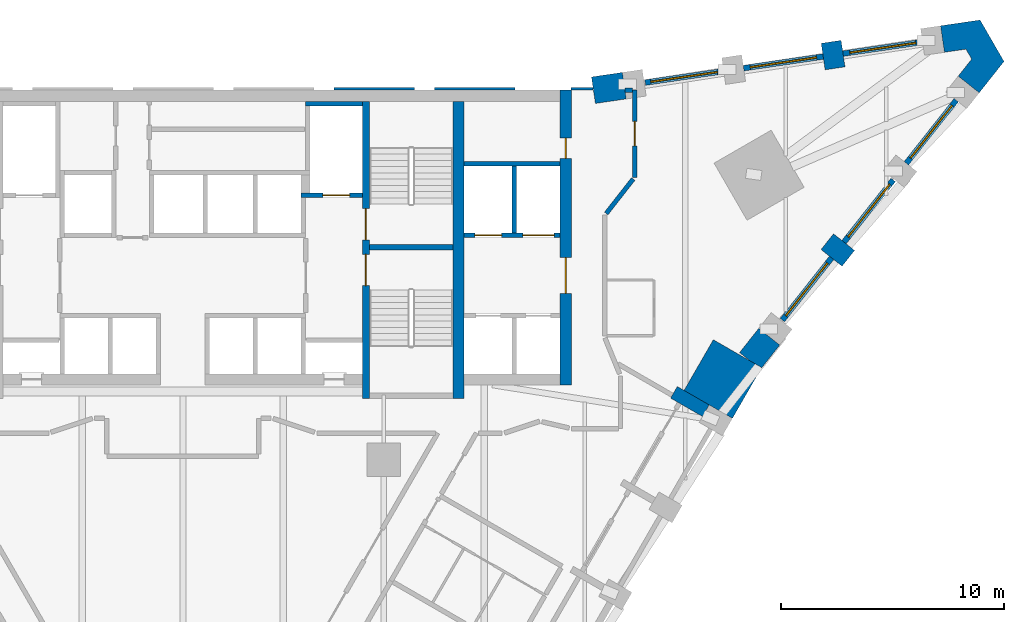
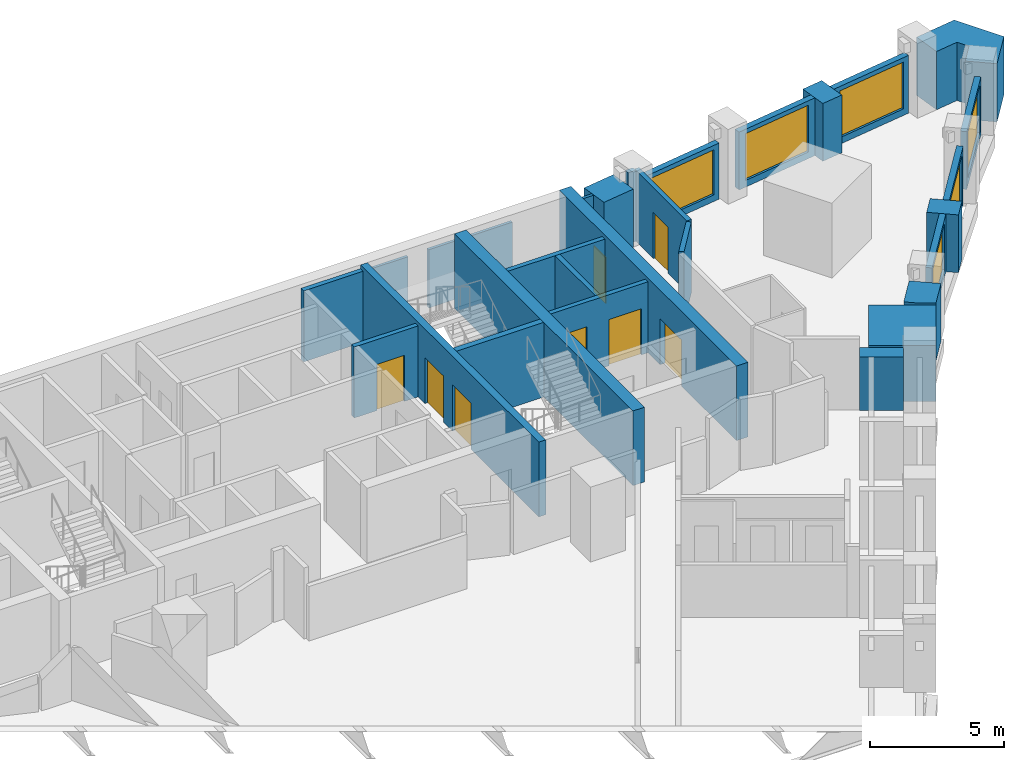
# One storey, part 8 of 10: 28 walls, 8 doors, 6 windows, 14 openings.
"""IFC4 building model written with IfcOpenShell, lengths in metres."""

from ifc_helpers import new_model, si_unit, direction, frame, frame_2d, origin, place, context, subcontext, project, spatial, polyline, rectangle, outline, extrude, material, layer, layer_set, type_object, element, fill, save


model = new_model("IFC4")

# Units and contexts
model_context = context("Model", 3, precision=1e-05, world=origin(), true_north=direction((0.0, 1.0)))
body_context = subcontext(model_context, "Body", "Model", "MODEL_VIEW")
ifc_project = project(units=[si_unit("LENGTHUNIT", "METRE"), si_unit("AREAUNIT", "SQUARE_METRE"), si_unit("VOLUMEUNIT", "CUBIC_METRE"), si_unit("PLANEANGLEUNIT", "RADIAN"), si_unit("MASSUNIT", "GRAM", prefix="KILO")], contexts=[model_context])

# Site, building, storey
site_placement = place(None, origin())
site = spatial("IfcSite", under=ifc_project, at=site_placement, CompositionType="ELEMENT")
building_placement = place(site_placement, origin())
building = spatial("IfcBuilding", under=site, at=building_placement, Name="Calabash Gate Tower", CompositionType="ELEMENT")
storey_placement = place(building_placement, frame((0.0, 0.0, 108.800048828125)))
storey = spatial("IfcBuildingStorey", under=building, at=storey_placement, Name="L24", CompositionType="ELEMENT", Elevation=108.800048828125)

# Walls
ifc_material_1 = material(Name="Terracotta brick masonry, exposed face", Category="masonry")
ifc_layer_1 = layer(ifc_material_1, 2.5)
ifc_layer_set_1 = layer_set([ifc_layer_1], Name="Brick corner mass wall 2500")
wall_type_1 = type_object("IfcWallType", Name="Brick corner mass wall 2500", PredefinedType="SOLIDWALL", material=ifc_layer_set_1)
wall_1_placement = place(storey_placement, origin())
element("IfcWall", 1, at=wall_1_placement, inside=storey, type_object=wall_type_1, Name="Brick corner pier S06 2", PredefinedType="SOLIDWALL", context=body_context, shape_type="SweptSolid", body=[
    extrude(outline(polyline([(23.7578125, 7.878173828125), (22.44677734375, 5.607177734375), (24.61181640625, 4.357177734375), (25.9228515625, 6.628173828125), (23.7578125, 7.878173828125)])), origin(), (0.0, 0.0, 1.0), 2.5517578125),
])
ifc_material_2 = material(Name="Terracotta brick masonry, exposed face", Category="masonry")
ifc_layer_2 = layer(ifc_material_2, 1.199951171875)
ifc_layer_set_2 = layer_set([ifc_layer_2], Name="Brick end wall 1200")
wall_type_2 = type_object("IfcWallType", Name="Brick end wall 1200", PredefinedType="SOLIDWALL", material=ifc_layer_set_2)
for number, where, z_axis, x_axis, name in (
    (2, (29.801513671875, 11.5224609375, 0.0), (0.0, 0.0, 1.0), (-0.784330409431, 0.620343299184, 0.0), "Brick pier S06 wedge3.1"),
    (3, (29.03369140625, 21.217041015625, 0.0), (0.0, 0.0, 1.0), (0.145066385332, -0.989421924078, 0.0), "Brick pier S06 wedge5.1"),
):
    element("IfcWall", number, at=place(storey_placement, frame(where, z_axis=z_axis, x_axis=x_axis)), inside=storey, type_object=wall_type_2, Name=name, PredefinedType="SOLIDWALL", context=body_context, shape_type="SweptSolid", body=[
        extrude(rectangle(XDim=1.199951171875, YDim=0.89990234375, at=frame_2d((0.60009765625, 0.0))), origin(), (0.0, 0.0, 1.0), 2.6298828125),
    ])
wall_2_placement = place(storey_placement, origin())
element("IfcWall", 4, at=wall_2_placement, inside=storey, type_object=wall_type_2, Name="Brick end wall S06 1", PredefinedType="SOLIDWALL", context=body_context, shape_type="SweptSolid", body=[
    extrude(outline(polyline([(25.789794921875, 8.38427734375), (24.9326171875, 7.30029296875), (25.4033203125, 6.92822265625), (25.9228515625, 6.628173828125), (25.901123046875, 6.59033203125), (26.731201171875, 7.639892578125), (25.789794921875, 8.38427734375)])), origin(), (0.0, 0.0, 1.0), 2.6298828125),
])
wall_3_placement = place(storey_placement, origin())
element("IfcWall", 5, at=wall_3_placement, inside=storey, type_object=wall_type_2, Name="Brick end wall S06 2", PredefinedType="SOLIDWALL", context=body_context, shape_type="SweptSolid", body=[
    extrude(outline(polyline([(35.32666015625, 20.443359375), (34.72216796875, 19.678955078125), (35.66357421875, 18.934814453125), (36.773193359375, 20.337890625), (35.701416015625, 22.1943359375), (33.931396484375, 21.934814453125), (34.105224609375, 20.74755859375), (35.069580078125, 20.888916015625), (35.32666015625, 20.443359375)])), origin(), (0.0, 0.0, 1.0), 2.64990234375),
])
wall_4_placement = place(storey_placement, frame((18.38916015625, 19.050537109375, 0.0), z_axis=(0.0, 0.0, 1.0), x_axis=(0.989435994601, 0.144970385211, 0.0)))
element("IfcWall", 6, at=wall_4_placement, inside=storey, type_object=wall_type_2, Name="Brick end wall S06 3", PredefinedType="SOLIDWALL", context=body_context, shape_type="SweptSolid", body=[
    extrude(rectangle(XDim=1.39599609375, YDim=1.199951171875, at=frame_2d((0.697998046875, 0.0))), origin(), (0.0, 0.0, 1.0), 2.64990234375),
])
ifc_material_3 = material(Name="Terracotta brick masonry, exposed face", Category="masonry")
ifc_layer_3 = layer(ifc_material_3, 0.300048828125)
ifc_layer_set_3 = layer_set([ifc_layer_3], Name="Brick loggia cheek wall 300")
wall_type_3 = type_object("IfcWallType", Name="Brick loggia cheek wall 300", PredefinedType="SOLIDWALL", material=ifc_layer_set_3)
wall_5_placement = place(storey_placement, frame((23.422607421875, 4.697265625, 0.0), z_axis=(0.0, 0.0, 1.0), x_axis=(-0.865976140824, 0.500085316245, 0.0)))
element("IfcWall", 7, at=wall_5_placement, inside=storey, type_object=wall_type_3, Name="Loggia cheek S06 SE2.8", PredefinedType="SOLIDWALL", context=body_context, shape_type="SweptSolid", body=[
    extrude(rectangle(XDim=1.650146484375, YDim=0.60009765625, at=frame_2d((0.8251953125, 0.0))), origin(), (0.0, 0.0, 1.0), 2.449951171875),
])
ifc_material_4 = material(Name="Concrete C80/95", Category="concrete")
ifc_layer_4 = layer(ifc_material_4, 0.25)
ifc_layer_set_4 = layer_set([ifc_layer_4], Name="Core wall 250 Concrete C80/95")
wall_type_4 = type_object("IfcWallType", Name="Core wall 250 Concrete C80/95", PredefinedType="SHEAR", material=ifc_layer_set_4)
wall_6_placement = place(storey_placement, frame((8.35009765625, 12.027587890625, 0.0), z_axis=(0.0, 0.0, 1.0), x_axis=(1.0, 0.0, 0.0)))
element("IfcWall", 8, at=wall_6_placement, inside=storey, type_object=wall_type_4, Name="Core wall Z2-MIDE L24", PredefinedType="SHEAR", context=body_context, shape_type="SweptSolid", body=[
    extrude(rectangle(XDim=3.75, YDim=0.25, at=frame_2d((1.875, 0.0))), origin(), (0.0, 0.0, 1.0), 3.39990234375),
])

# Wall, openings, doors
ifc_material_5 = material(Name="Concrete C80/95", Category="concrete")
ifc_layer_5 = layer(ifc_material_5, 0.300048828125)
ifc_layer_set_5 = layer_set([ifc_layer_5], Name="Core wall 300 Concrete C80/95")
wall_type_5 = type_object("IfcWallType", Name="Core wall 300 Concrete C80/95", PredefinedType="SHEAR", material=ifc_layer_set_5)
wall_7_placement = place(storey_placement, frame((8.199951171875, 5.252685546875, 0.0), z_axis=(0.0, 0.0, 1.0), x_axis=(0.0, 1.0, 0.0)))
wall_7 = element("IfcWall", 9, at=wall_7_placement, inside=storey, type_object=wall_type_5, Name="Core wall Z2-PARTE L24", PredefinedType="SHEAR", context=body_context, shape_type="SweptSolid", body=[
    extrude(rectangle(XDim=13.2998046875, YDim=0.300048828125, at=frame_2d((6.64990234375, 0.0))), origin(), (0.0, 0.0, 1.0), 3.39990234375),
])
opening_1_placement = place(wall_7_placement, frame((7.10009765625, 0.0, 0.0)))
opening_1 = element("IfcOpeningElement", 10, at=opening_1_placement, cuts=wall_7, Name="Opening H6-015", PredefinedType="OPENING", context=body_context, shape_type="SweptSolid", body=[
    extrude(rectangle(XDim=1.39990234375, YDim=2.10009765625, at=frame_2d((0.699951171875, 1.050048828125))), frame((0.0, 0.159912109375, 0.0), z_axis=(0.0, -1.0, 0.0), x_axis=(1.0, 0.0, 0.0)), (0.0, 0.0, 1.0), 0.320068359375),
])
opening_2_placement = place(wall_7_placement, frame((5.050048828125, 0.0, 0.0)))
opening_2 = element("IfcOpeningElement", 11, at=opening_2_placement, cuts=wall_7, Name="Opening H6-016", PredefinedType="OPENING", context=body_context, shape_type="SweptSolid", body=[
    extrude(rectangle(XDim=1.39990234375, YDim=2.10009765625, at=frame_2d((0.699951171875, 1.050048828125))), frame((0.0, 0.159912109375, 0.0), z_axis=(0.0, -1.0, 0.0), x_axis=(1.0, 0.0, 0.0)), (0.0, 0.0, 1.0), 0.320068359375),
])
ifc_material_6 = material(Name="Steel fire door set with fire-resisting glazing", Category="steel")
door_type_1 = type_object("IfcDoorType", Name="Fire door D05 1400x2100 FD90", OperationType="NOTDEFINED", PredefinedType="DOOR", material=ifc_material_6)
door_1_placement = place(opening_1_placement, origin())
door_1 = element("IfcDoor", 12, at=door_1_placement, inside=storey, type_object=door_type_1, Name="Exit stair door ST3", OperationType="SINGLE_SWING_RIGHT", OverallHeight=2.10009765625, OverallWidth=1.39990234375, PredefinedType="DOOR", context=body_context, shape_type="SweptSolid", body=[
    extrude(rectangle(XDim=1.39990234375, YDim=2.10009765625, at=frame_2d((0.699951171875, 1.050048828125))), frame((0.0, 0.02490234375, 0.0), z_axis=(0.0, -1.0, 0.0), x_axis=(1.0, 0.0, 0.0)), (0.0, 0.0, 1.0), 0.050048828125),
])
fill(opening_1, door_1)
door_2_placement = place(opening_2_placement, origin())
door_2 = element("IfcDoor", 13, at=door_2_placement, inside=storey, type_object=door_type_1, Name="Exit stair door ST4", OperationType="SINGLE_SWING_LEFT", OverallHeight=2.10009765625, OverallWidth=1.39990234375, PredefinedType="DOOR", context=body_context, shape_type="SweptSolid", body=[
    extrude(rectangle(XDim=1.39990234375, YDim=2.10009765625, at=frame_2d((0.699951171875, 1.050048828125))), frame((0.0, 0.02490234375, 0.0), z_axis=(0.0, -1.0, 0.0), x_axis=(1.0, 0.0, 0.0)), (0.0, 0.0, 1.0), 0.050048828125),
])
fill(opening_2, door_2)

# Wall
ifc_material_7 = material(Name="Concrete C80/95", Category="concrete")
ifc_layer_6 = layer(ifc_material_7, 0.5)
ifc_layer_set_6 = layer_set([ifc_layer_6], Name="Core wall 500 Concrete C80/95")
wall_type_6 = type_object("IfcWallType", Name="Core wall 500 Concrete C80/95", PredefinedType="SHEAR", material=ifc_layer_set_6)
wall_8_placement = place(storey_placement, frame((12.35009765625, 5.252685546875, 0.0), z_axis=(0.0, 0.0, 1.0), x_axis=(0.0, 1.0, 0.0)))
element("IfcWall", 14, at=wall_8_placement, inside=storey, type_object=wall_type_6, Name="Core wall Z2-COLE L24", PredefinedType="SHEAR", context=body_context, shape_type="SweptSolid", body=[
    extrude(rectangle(XDim=13.2998046875, YDim=0.5, at=frame_2d((6.64990234375, 0.0))), origin(), (0.0, 0.0, 1.0), 3.39990234375),
])

# Wall, openings, doors
wall_9_placement = place(storey_placement, frame((17.14990234375, 5.8525390625, 0.0), z_axis=(0.0, 0.0, 1.0), x_axis=(0.0, 1.0, 0.0)))
wall_9 = element("IfcWall", 15, at=wall_9_placement, inside=storey, type_object=wall_type_6, Name="Core wall Z2-ENDE L24", PredefinedType="SHEAR", context=body_context, shape_type="SweptSolid", body=[
    extrude(rectangle(XDim=13.199951171875, YDim=0.5, at=frame_2d((6.60009765625, 0.0))), origin(), (0.0, 0.0, 1.0), 3.39990234375),
])
opening_3_placement = place(wall_9_placement, frame((4.10009765625, 0.0, 0.0)))
opening_3 = element("IfcOpeningElement", 16, at=opening_3_placement, cuts=wall_9, Name="Opening H6-002", PredefinedType="OPENING", context=body_context, shape_type="SweptSolid", body=[
    extrude(rectangle(XDim=1.60009765625, YDim=2.10009765625, at=frame_2d((0.800048828125, 1.050048828125))), frame((0.0, 0.260009765625, 0.0), z_axis=(0.0, -1.0, 0.0), x_axis=(1.0, 0.0, 0.0)), (0.0, 0.0, 1.0), 0.52001953125),
])
opening_4_placement = place(wall_9_placement, frame((10.14990234375, 0.0, 0.0)))
opening_4 = element("IfcOpeningElement", 17, at=opening_4_placement, cuts=wall_9, Name="Opening H6-001", PredefinedType="OPENING", context=body_context, shape_type="SweptSolid", body=[
    extrude(rectangle(XDim=0.89990234375, YDim=2.10009765625, at=frame_2d((0.449951171875, 1.050048828125))), frame((0.0, 0.260009765625, 0.0), z_axis=(0.0, -1.0, 0.0), x_axis=(1.0, 0.0, 0.0)), (0.0, 0.0, 1.0), 0.52001953125),
])
ifc_material_8 = material(Name="Steel fire door set with fire-resisting glazing", Category="steel")
door_type_2 = type_object("IfcDoorType", Name="Double fire door D08 1600x2100 FD60", OperationType="DOUBLE_DOOR_SINGLE_SWING", PredefinedType="DOOR", material=ifc_material_8)
door_3_placement = place(opening_3_placement, origin())
door_3 = element("IfcDoor", 18, at=door_3_placement, inside=storey, type_object=door_type_2, Name="Low-rise Lift Lobby E door", OperationType="DOUBLE_DOOR_SINGLE_SWING", OverallHeight=2.10009765625, OverallWidth=1.60009765625, PredefinedType="DOOR", context=body_context, shape_type="SweptSolid", body=[
    extrude(rectangle(XDim=1.60009765625, YDim=2.10009765625, at=frame_2d((0.800048828125, 1.050048828125))), frame((0.0, 0.02490234375, 0.0), z_axis=(0.0, -1.0, 0.0), x_axis=(1.0, 0.0, 0.0)), (0.0, 0.0, 1.0), 0.050048828125),
])
fill(opening_3, door_3)
ifc_material_9 = material(Name="Steel fire door set with fire-resisting glazing", Category="steel")
door_type_3 = type_object("IfcDoorType", Name="Fire door D06 900x2100 FD60", OperationType="NOTDEFINED", PredefinedType="DOOR", material=ifc_material_9)
door_4_placement = place(opening_4_placement, origin())
door_4 = element("IfcDoor", 19, at=door_4_placement, inside=storey, type_object=door_type_3, Name="Cleaner's Store door", OperationType="SINGLE_SWING_LEFT", OverallHeight=2.10009765625, OverallWidth=0.89990234375, PredefinedType="DOOR", context=body_context, shape_type="SweptSolid", body=[
    extrude(rectangle(XDim=0.89990234375, YDim=2.10009765625, at=frame_2d((0.449951171875, 1.050048828125))), frame((0.0, 0.02490234375, 0.0), z_axis=(0.0, -1.0, 0.0), x_axis=(1.0, 0.0, 0.0)), (0.0, 0.0, 1.0), 0.050048828125),
])
fill(opening_4, door_4)

# Wall
ifc_material_10 = material(Name="Gypsum board on steel studs, mineral wool", Category="steel")
ifc_layer_7 = layer(ifc_material_10, 0.199951171875)
ifc_layer_set_7 = layer_set([ifc_layer_7], Name="Partition 200 gypsum board EI 60")
wall_type_7 = type_object("IfcWallType", Name="Partition 200 gypsum board EI 60", PredefinedType="PARTITIONING", material=ifc_layer_set_7)
wall_10_placement = place(storey_placement, frame((18.962158203125, 13.531005859375, 0.0), z_axis=(0.0, 0.0, 1.0), x_axis=(0.61620743618, 0.787583897497, 0.0)))
element("IfcWall", 20, at=wall_10_placement, inside=storey, type_object=wall_type_7, Name="Partition", PredefinedType="PARTITIONING", context=body_context, shape_type="SweptSolid", body=[
    extrude(rectangle(XDim=1.958740234375, YDim=0.199951171875, at=frame_2d((0.9794921875, 0.0))), origin(), (0.0, 0.0, 1.0), 3.22998046875),
])

# Wall, opening, door
wall_11_placement = place(storey_placement, frame((20.230712890625, 19.052734375, 0.0), z_axis=(0.0, 0.0, 1.0), x_axis=(0.0, -1.0, 0.0)))
wall_11 = element("IfcWall", 21, at=wall_11_placement, inside=storey, type_object=wall_type_7, Name="Partition", PredefinedType="PARTITIONING", context=body_context, shape_type="SweptSolid", body=[
    extrude(rectangle(XDim=3.900146484375, YDim=0.199951171875, at=frame_2d((1.9501953125, 0.0))), origin(), (0.0, 0.0, 1.0), 3.22998046875),
])
opening_5_placement = place(wall_11_placement, frame((1.400146484375, 0.0, 0.0)))
opening_5 = element("IfcOpeningElement", 22, at=opening_5_placement, cuts=wall_11, Name="Opening 22-24-017", PredefinedType="OPENING", context=body_context, shape_type="SweptSolid", body=[
    extrude(rectangle(XDim=1.10009765625, YDim=2.10009765625, at=frame_2d((0.550048828125, 1.050048828125))), frame((0.0, 0.10986328125, 0.0), z_axis=(0.0, -1.0, 0.0), x_axis=(1.0, 0.0, 0.0)), (0.0, 0.0, 1.0), 0.219970703125),
])
ifc_material_11 = material(Name="Steel fire door set with fire-resisting glazing", Category="steel")
door_type_4 = type_object("IfcDoorType", Name="GD3 Suite entrance door 1100x2100", OperationType="NOTDEFINED", PredefinedType="DOOR", material=ifc_material_11)
door_5_placement = place(opening_5_placement, origin())
door_5 = element("IfcDoor", 23, at=door_5_placement, inside=storey, type_object=door_type_4, Name="Suite entrance door", OperationType="SINGLE_SWING_RIGHT", OverallHeight=2.10009765625, OverallWidth=1.10009765625, PredefinedType="DOOR", context=body_context, shape_type="SweptSolid", body=[
    extrude(rectangle(XDim=1.10009765625, YDim=2.10009765625, at=frame_2d((0.550048828125, 1.050048828125))), frame((0.0, 0.02490234375, 0.0), z_axis=(0.0, -1.0, 0.0), x_axis=(1.0, 0.0, 0.0)), (0.0, 0.0, 1.0), 0.050048828125),
])
fill(opening_5, door_5)

# Wall
wall_12_placement = place(storey_placement, frame((19.7998046875, 19.052734375, 0.0), z_axis=(0.0, 0.0, 1.0), x_axis=(1.0, 0.0, 0.0)))
element("IfcWall", 24, at=wall_12_placement, inside=storey, type_object=wall_type_7, Name="Partition", PredefinedType="PARTITIONING", context=body_context, shape_type="SweptSolid", body=[
    extrude(rectangle(XDim=0.3310546875, YDim=0.199951171875, at=frame_2d((0.16552734375, 0.0))), origin(), (0.0, 0.0, 1.0), 3.22998046875),
])

# Wall, opening, window
ifc_material_12 = material(Name="Aluminium framed window wall with insulated spandrel", Category="aluminium")
ifc_layer_8 = layer(ifc_material_12, 0.25)
ifc_layer_set_8 = layer_set([ifc_layer_8], Name="Prow window wall 250")
wall_type_8 = type_object("IfcWallType", Name="Prow window wall 250", PredefinedType="ELEMENTEDWALL", material=ifc_layer_set_8)
wall_13_placement = place(storey_placement, frame((26.849853515625, 8.757080078125, 0.0), z_axis=(0.0, 0.0, 1.0), x_axis=(0.620259189042, 0.784396926568, 0.0)))
wall_13 = element("IfcWall", 25, at=wall_13_placement, inside=storey, type_object=wall_type_8, Name="Prow window wall S06 wedge3.1", PredefinedType="ELEMENTEDWALL", context=body_context, shape_type="SweptSolid", body=[
    extrude(rectangle(XDim=3.552001953125, YDim=0.25, at=frame_2d((1.77587890625, 0.0))), origin(), (0.0, 0.0, 1.0), 2.6298828125),
])
opening_6_placement = place(wall_13_placement, frame((0.25, 0.0, 0.300048828125)))
opening_6 = element("IfcOpeningElement", 26, at=opening_6_placement, cuts=wall_13, Name="Opening WP1L-2130", PredefinedType="OPENING", context=body_context, shape_type="SweptSolid", body=[
    extrude(rectangle(XDim=3.0, YDim=2.1298828125, at=frame_2d((1.5, 1.06494140625))), frame((0.0, 0.135009765625, 0.0), z_axis=(0.0, -1.0, 0.0), x_axis=(1.0, 0.0, 0.0)), (0.0, 0.0, 1.0), 0.27001953125),
])
ifc_material_13 = material(Name="Anodised aluminium frame, bronze finish, impact-rated laminated clear glazing", Category="aluminium")
window_type_1 = type_object("IfcWindowType", Name="Window WP1L 3000x2130", PartitioningType="DOUBLE_PANEL_VERTICAL", PredefinedType="WINDOW", material=ifc_material_13)
window_1_placement = place(opening_6_placement, origin())
window_1 = element("IfcWindow", 27, at=window_1_placement, inside=storey, type_object=window_type_1, Name="Prow window WP1L S06 wedge3.1", OverallHeight=2.1298828125, OverallWidth=3.0, PartitioningType="SINGLE_PANEL", PredefinedType="WINDOW", context=body_context, shape_type="SweptSolid", body=[
    extrude(rectangle(XDim=3.0, YDim=2.1298828125, at=frame_2d((1.5, 1.06494140625))), frame((0.0, 0.030029296875, 0.0), z_axis=(0.0, -1.0, 0.0), x_axis=(1.0, 0.0, 0.0)), (0.0, 0.0, 1.0), 0.06005859375),
])
fill(opening_6, window_1)

wall_14_placement = place(storey_placement, frame((29.60888671875, 12.24609375, 0.0), z_axis=(0.0, 0.0, 1.0), x_axis=(0.620334919108, 0.784337037335, 0.0)))
wall_14 = element("IfcWall", 28, at=wall_14_placement, inside=storey, type_object=wall_type_8, Name="Prow window wall S06 wedge3.2", PredefinedType="ELEMENTEDWALL", context=body_context, shape_type="SweptSolid", body=[
    extrude(rectangle(XDim=3.552001953125, YDim=0.25, at=frame_2d((1.77587890625, 0.0))), origin(), (0.0, 0.0, 1.0), 2.6298828125),
])
opening_7_placement = place(wall_14_placement, frame((0.302001953125, 0.0, 0.300048828125)))
opening_7 = element("IfcOpeningElement", 29, at=opening_7_placement, cuts=wall_14, Name="Opening WP1L-2130", PredefinedType="OPENING", context=body_context, shape_type="SweptSolid", body=[
    extrude(rectangle(XDim=3.0, YDim=2.1298828125, at=frame_2d((1.5, 1.06494140625))), frame((0.0, 0.135009765625, 0.0), z_axis=(0.0, -1.0, 0.0), x_axis=(1.0, 0.0, 0.0)), (0.0, 0.0, 1.0), 0.27001953125),
])
window_2_placement = place(opening_7_placement, origin())
window_2 = element("IfcWindow", 30, at=window_2_placement, inside=storey, type_object=window_type_1, Name="Prow window WP1L S06 wedge3.2", OverallHeight=2.1298828125, OverallWidth=3.0, PartitioningType="SINGLE_PANEL", PredefinedType="WINDOW", context=body_context, shape_type="SweptSolid", body=[
    extrude(rectangle(XDim=3.0, YDim=2.1298828125, at=frame_2d((1.5, 1.06494140625))), frame((0.0, 0.030029296875, 0.0), z_axis=(0.0, -1.0, 0.0), x_axis=(1.0, 0.0, 0.0)), (0.0, 0.0, 1.0), 0.06005859375),
])
fill(opening_7, window_2)

wall_15_placement = place(storey_placement, frame((32.4013671875, 15.77734375, 0.0), z_axis=(0.0, 0.0, 1.0), x_axis=(0.620343299184, 0.784330409431, 0.0)))
wall_15 = element("IfcWall", 31, at=wall_15_placement, inside=storey, type_object=wall_type_8, Name="Prow window wall S06 wedge3.3", PredefinedType="ELEMENTEDWALL", context=body_context, shape_type="SweptSolid", body=[
    extrude(rectangle(XDim=3.599853515625, YDim=0.25, at=frame_2d((1.7998046875, 0.0))), origin(), (0.0, 0.0, 1.0), 2.6298828125),
])
opening_8_placement = place(wall_15_placement, frame((0.300048828125, 0.0, 0.300048828125)))
opening_8 = element("IfcOpeningElement", 32, at=opening_8_placement, cuts=wall_15, Name="Opening WP1L-2130", PredefinedType="OPENING", context=body_context, shape_type="SweptSolid", body=[
    extrude(rectangle(XDim=3.0, YDim=2.1298828125, at=frame_2d((1.5, 1.06494140625))), frame((0.0, 0.135009765625, 0.0), z_axis=(0.0, -1.0, 0.0), x_axis=(1.0, 0.0, 0.0)), (0.0, 0.0, 1.0), 0.27001953125),
])
window_3_placement = place(opening_8_placement, origin())
window_3 = element("IfcWindow", 33, at=window_3_placement, inside=storey, type_object=window_type_1, Name="Prow window WP1L S06 wedge3.3", OverallHeight=2.1298828125, OverallWidth=3.0, PartitioningType="SINGLE_PANEL", PredefinedType="WINDOW", context=body_context, shape_type="SweptSolid", body=[
    extrude(rectangle(XDim=3.0, YDim=2.1298828125, at=frame_2d((1.5, 1.06494140625))), frame((0.0, 0.030029296875, 0.0), z_axis=(0.0, -1.0, 0.0), x_axis=(1.0, 0.0, 0.0)), (0.0, 0.0, 1.0), 0.06005859375),
])
fill(opening_8, window_3)

wall_16_placement = place(storey_placement, frame((33.078369140625, 21.203369140625, 0.0), z_axis=(0.0, 0.0, 1.0), x_axis=(-0.989427410985, -0.145028957081, 0.0)))
wall_16 = element("IfcWall", 34, at=wall_16_placement, inside=storey, type_object=wall_type_8, Name="Prow window wall S06 wedge5.1", PredefinedType="ELEMENTEDWALL", context=body_context, shape_type="SweptSolid", body=[
    extrude(rectangle(XDim=3.552001953125, YDim=0.25, at=frame_2d((1.77587890625, 0.0))), origin(), (0.0, 0.0, 1.0), 2.6298828125),
])
opening_9_placement = place(wall_16_placement, frame((0.25, 0.0, 0.300048828125)))
opening_9 = element("IfcOpeningElement", 35, at=opening_9_placement, cuts=wall_16, Name="Opening WP1L-2130", PredefinedType="OPENING", context=body_context, shape_type="SweptSolid", body=[
    extrude(rectangle(XDim=3.0, YDim=2.1298828125, at=frame_2d((1.5, 1.06494140625))), frame((0.0, 0.135009765625, 0.0), z_axis=(0.0, -1.0, 0.0), x_axis=(1.0, 0.0, 0.0)), (0.0, 0.0, 1.0), 0.27001953125),
])
window_4_placement = place(opening_9_placement, origin())
window_4 = element("IfcWindow", 36, at=window_4_placement, inside=storey, type_object=window_type_1, Name="Prow window WP1L S06 wedge5.1", OverallHeight=2.1298828125, OverallWidth=3.0, PartitioningType="SINGLE_PANEL", PredefinedType="WINDOW", context=body_context, shape_type="SweptSolid", body=[
    extrude(rectangle(XDim=3.0, YDim=2.1298828125, at=frame_2d((1.5, 1.06494140625))), frame((0.0, 0.030029296875, 0.0), z_axis=(0.0, -1.0, 0.0), x_axis=(1.0, 0.0, 0.0)), (0.0, 0.0, 1.0), 0.06005859375),
])
fill(opening_9, window_4)

wall_17_placement = place(storey_placement, frame((28.67529296875, 20.55810546875, 0.0), z_axis=(0.0, 0.0, 1.0), x_axis=(-0.989431656237, -0.144999991846, 0.0)))
wall_17 = element("IfcWall", 37, at=wall_17_placement, inside=storey, type_object=wall_type_8, Name="Prow window wall S06 wedge5.2", PredefinedType="ELEMENTEDWALL", context=body_context, shape_type="SweptSolid", body=[
    extrude(rectangle(XDim=3.599853515625, YDim=0.25, at=frame_2d((1.7998046875, 0.0))), origin(), (0.0, 0.0, 1.0), 2.6298828125),
])
opening_10_placement = place(wall_17_placement, frame((0.300048828125, 0.0, 0.300048828125)))
opening_10 = element("IfcOpeningElement", 38, at=opening_10_placement, cuts=wall_17, Name="Opening WP1L-2130", PredefinedType="OPENING", context=body_context, shape_type="SweptSolid", body=[
    extrude(rectangle(XDim=3.0, YDim=2.1298828125, at=frame_2d((1.5, 1.06494140625))), frame((0.0, 0.135009765625, 0.0), z_axis=(0.0, -1.0, 0.0), x_axis=(1.0, 0.0, 0.0)), (0.0, 0.0, 1.0), 0.27001953125),
])
window_5_placement = place(opening_10_placement, origin())
window_5 = element("IfcWindow", 39, at=window_5_placement, inside=storey, type_object=window_type_1, Name="Prow window WP1L S06 wedge5.2", OverallHeight=2.1298828125, OverallWidth=3.0, PartitioningType="SINGLE_PANEL", PredefinedType="WINDOW", context=body_context, shape_type="SweptSolid", body=[
    extrude(rectangle(XDim=3.0, YDim=2.1298828125, at=frame_2d((1.5, 1.06494140625))), frame((0.0, 0.030029296875, 0.0), z_axis=(0.0, -1.0, 0.0), x_axis=(1.0, 0.0, 0.0)), (0.0, 0.0, 1.0), 0.06005859375),
])
fill(opening_10, window_5)

wall_18_placement = place(storey_placement, frame((24.173583984375, 19.898193359375, 0.0), z_axis=(0.0, 0.0, 1.0), x_axis=(-0.989429597643, -0.145014038315, 0.0)))
wall_18 = element("IfcWall", 40, at=wall_18_placement, inside=storey, type_object=wall_type_8, Name="Prow window wall S06 wedge5.3", PredefinedType="ELEMENTEDWALL", context=body_context, shape_type="SweptSolid", body=[
    extrude(rectangle(XDim=3.500244140625, YDim=0.25, at=frame_2d((1.75, 0.0))), origin(), (0.0, 0.0, 1.0), 2.5517578125),
])
opening_11_placement = place(wall_18_placement, frame((0.25, 0.0, 0.300048828125)))
opening_11 = element("IfcOpeningElement", 41, at=opening_11_placement, cuts=wall_18, Name="Opening WP1L-2050", PredefinedType="OPENING", context=body_context, shape_type="SweptSolid", body=[
    extrude(rectangle(XDim=3.0, YDim=2.050048828125, at=frame_2d((1.5, 1.02490234375))), frame((0.0, 0.135009765625, 0.0), z_axis=(0.0, -1.0, 0.0), x_axis=(1.0, 0.0, 0.0)), (0.0, 0.0, 1.0), 0.27001953125),
])
ifc_material_14 = material(Name="Anodised aluminium frame, bronze finish, impact-rated laminated clear glazing", Category="aluminium")
window_type_2 = type_object("IfcWindowType", Name="Window WP1L 3000x2050", PartitioningType="DOUBLE_PANEL_VERTICAL", PredefinedType="WINDOW", material=ifc_material_14)
window_6_placement = place(opening_11_placement, origin())
window_6 = element("IfcWindow", 42, at=window_6_placement, inside=storey, type_object=window_type_2, Name="Prow window WP1L S06 wedge5.3", OverallHeight=2.050048828125, OverallWidth=3.0, PartitioningType="SINGLE_PANEL", PredefinedType="WINDOW", context=body_context, shape_type="SweptSolid", body=[
    extrude(rectangle(XDim=3.0, YDim=2.050048828125, at=frame_2d((1.5, 1.02490234375))), frame((0.0, 0.030029296875, 0.0), z_axis=(0.0, -1.0, 0.0), x_axis=(1.0, 0.0, 0.0)), (0.0, 0.0, 1.0), 0.06005859375),
])
fill(opening_11, window_6)

# Wall, openings, doors
ifc_material_15 = material(Name="Concrete C40/50", Category="concrete")
ifc_layer_9 = layer(ifc_material_15, 0.199951171875)
ifc_layer_set_9 = layer_set([ifc_layer_9], Name="Shaft wall 200 Concrete C40/50")
wall_type_9 = type_object("IfcWallType", Name="Shaft wall 200 Concrete C40/50", PredefinedType="SOLIDWALL", material=ifc_layer_set_9)
wall_19_placement = place(storey_placement, frame((12.60009765625, 12.552490234375, 0.0), z_axis=(0.0, 0.0, 1.0), x_axis=(1.0, 0.0, 0.0)))
wall_19 = element("IfcWall", 43, at=wall_19_placement, inside=storey, type_object=wall_type_9, Name="Shaft wall", PredefinedType="SOLIDWALL", context=body_context, shape_type="SweptSolid", body=[
    extrude(rectangle(XDim=4.2998046875, YDim=0.199951171875, at=frame_2d((2.14990234375, 0.0))), origin(), (0.0, 0.0, 1.0), 3.22998046875),
])
opening_12_placement = place(wall_19_placement, frame((0.47509765625, 0.0, 0.0)))
opening_12 = element("IfcOpeningElement", 44, at=opening_12_placement, cuts=wall_19, Name="Opening LD-SL1", PredefinedType="OPENING", context=body_context, shape_type="SweptSolid", body=[
    extrude(rectangle(XDim=1.199951171875, YDim=2.10009765625, at=frame_2d((0.60009765625, 1.050048828125))), frame((0.0, 0.10986328125, 0.0), z_axis=(0.0, -1.0, 0.0), x_axis=(1.0, 0.0, 0.0)), (0.0, 0.0, 1.0), 0.219970703125),
])
opening_13_placement = place(wall_19_placement, frame((2.625, 0.0, 0.0)))
opening_13 = element("IfcOpeningElement", 45, at=opening_13_placement, cuts=wall_19, Name="Opening LD-GL1", PredefinedType="OPENING", context=body_context, shape_type="SweptSolid", body=[
    extrude(rectangle(XDim=1.39990234375, YDim=2.10009765625, at=frame_2d((0.699951171875, 1.050048828125))), frame((0.0, 0.10986328125, 0.0), z_axis=(0.0, -1.0, 0.0), x_axis=(1.0, 0.0, 0.0)), (0.0, 0.0, 1.0), 0.219970703125),
])
ifc_material_16 = material(Name="Stainless steel sliding door leaves", Category="steel")
door_type_5 = type_object("IfcDoorType", Name="Lift landing door LS3 1200x2100 FD90", OperationType="DOUBLE_DOOR_SLIDING", PredefinedType="DOOR", material=ifc_material_16)
door_6_placement = place(opening_12_placement, origin())
door_6 = element("IfcDoor", 46, at=door_6_placement, inside=storey, type_object=door_type_5, Name="Lift landing door SL1", OperationType="DOUBLE_DOOR_SLIDING", OverallHeight=2.10009765625, OverallWidth=1.199951171875, PredefinedType="DOOR", context=body_context, shape_type="SweptSolid", body=[
    extrude(rectangle(XDim=1.199951171875, YDim=2.10009765625, at=frame_2d((0.60009765625, 1.050048828125))), frame((0.0, 0.02490234375, 0.0), z_axis=(0.0, -1.0, 0.0), x_axis=(1.0, 0.0, 0.0)), (0.0, 0.0, 1.0), 0.050048828125),
])
fill(opening_12, door_6)
ifc_material_17 = material(Name="Stainless steel sliding door leaves", Category="steel")
door_type_6 = type_object("IfcDoorType", Name="Lift landing door LS4 1400x2100 FD90", OperationType="DOUBLE_DOOR_SLIDING", PredefinedType="DOOR", material=ifc_material_17)
door_7_placement = place(opening_13_placement, origin())
door_7 = element("IfcDoor", 47, at=door_7_placement, inside=storey, type_object=door_type_6, Name="Lift landing door GL1", OperationType="DOUBLE_DOOR_SLIDING", OverallHeight=2.10009765625, OverallWidth=1.39990234375, PredefinedType="DOOR", context=body_context, shape_type="SweptSolid", body=[
    extrude(rectangle(XDim=1.39990234375, YDim=2.10009765625, at=frame_2d((0.699951171875, 1.050048828125))), frame((0.0, 0.02490234375, 0.0), z_axis=(0.0, -1.0, 0.0), x_axis=(1.0, 0.0, 0.0)), (0.0, 0.0, 1.0), 0.050048828125),
])
fill(opening_13, door_7)

# Wall
wall_20_placement = place(storey_placement, frame((14.85009765625, 12.652587890625, 0.0), z_axis=(0.0, 0.0, 1.0), x_axis=(0.0, 1.0, 0.0)))
element("IfcWall", 48, at=wall_20_placement, inside=storey, type_object=wall_type_9, Name="Shaft wall", PredefinedType="SOLIDWALL", context=body_context, shape_type="SweptSolid", body=[
    extrude(rectangle(XDim=3.0, YDim=0.199951171875, at=frame_2d((1.5, 0.0))), origin(), (0.0, 0.0, 1.0), 3.22998046875),
])

# Wall, opening, door
wall_21_placement = place(storey_placement, frame((5.300048828125, 14.3525390625, 0.0), z_axis=(0.0, 0.0, 1.0), x_axis=(1.0, 0.0, 0.0)))
wall_21 = element("IfcWall", 49, at=wall_21_placement, inside=storey, type_object=wall_type_9, Name="Shaft wall", PredefinedType="SOLIDWALL", context=body_context, shape_type="SweptSolid", body=[
    extrude(rectangle(XDim=2.75, YDim=0.199951171875, at=frame_2d((1.375, 0.0))), origin(), (0.0, 0.0, 1.0), 3.22998046875),
])
opening_14_placement = place(wall_21_placement, frame((0.97509765625, 0.0, 0.0)))
opening_14 = element("IfcOpeningElement", 50, at=opening_14_placement, cuts=wall_21, Name="Opening LD-FF2", PredefinedType="OPENING", context=body_context, shape_type="SweptSolid", body=[
    extrude(rectangle(XDim=1.199951171875, YDim=2.10009765625, at=frame_2d((0.60009765625, 1.050048828125))), frame((0.0, 0.10986328125, 0.0), z_axis=(0.0, -1.0, 0.0), x_axis=(1.0, 0.0, 0.0)), (0.0, 0.0, 1.0), 0.219970703125),
])
door_8_placement = place(opening_14_placement, origin())
door_8 = element("IfcDoor", 51, at=door_8_placement, inside=storey, type_object=door_type_5, Name="Lift landing door FF2", OperationType="DOUBLE_DOOR_SLIDING", OverallHeight=2.10009765625, OverallWidth=1.199951171875, PredefinedType="DOOR", context=body_context, shape_type="SweptSolid", body=[
    extrude(rectangle(XDim=1.199951171875, YDim=2.10009765625, at=frame_2d((0.60009765625, 1.050048828125))), frame((0.0, 0.02490234375, 0.0), z_axis=(0.0, -1.0, 0.0), x_axis=(1.0, 0.0, 0.0)), (0.0, 0.0, 1.0), 0.050048828125),
])
fill(opening_14, door_8)

# Walls
wall_22_placement = place(storey_placement, frame((12.60009765625, 15.752685546875, 0.0), z_axis=(0.0, 0.0, 1.0), x_axis=(1.0, 0.0, 0.0)))
element("IfcWall", 52, at=wall_22_placement, inside=storey, type_object=wall_type_9, Name="Shaft wall", PredefinedType="SOLIDWALL", context=body_context, shape_type="SweptSolid", body=[
    extrude(rectangle(XDim=4.2998046875, YDim=0.199951171875, at=frame_2d((2.14990234375, 0.0))), origin(), (0.0, 0.0, 1.0), 3.22998046875),
])
wall_23_placement = place(storey_placement, frame((5.5, 18.45263671875, 0.0), z_axis=(0.0, 0.0, 1.0), x_axis=(1.0, 0.0, 0.0)))
element("IfcWall", 53, at=wall_23_placement, inside=storey, type_object=wall_type_9, Name="Shaft wall", PredefinedType="SOLIDWALL", context=body_context, shape_type="SweptSolid", body=[
    extrude(rectangle(XDim=2.550048828125, YDim=0.199951171875, at=frame_2d((1.27490234375, 0.0))), origin(), (0.0, 0.0, 1.0), 3.22998046875),
])
ifc_material_18 = material(Name="Terracotta brick masonry, perforated", Category="masonry")
ifc_layer_10 = layer(ifc_material_18, 0.1201171875)
ifc_layer_set_10 = layer_set([ifc_layer_10], Name="Terracotta jaali cladding B 120")
wall_type_10 = type_object("IfcWallType", Name="Terracotta jaali cladding B 120", PredefinedType="SOLIDWALL", material=ifc_layer_set_10)
wall_24_placement = place(storey_placement, origin())
element("IfcWall", 54, at=wall_24_placement, inside=storey, type_object=wall_type_10, Name="Jaali cladding S06 N6.1", PredefinedType="SOLIDWALL", context=body_context, shape_type="SweptSolid", body=[
    extrude(outline(polyline([(11.281005859375, 19.172607421875), (11.281005859375, 19.052490234375), (14.880859375, 19.052490234375), (14.880859375, 19.172607421875), (11.281005859375, 19.172607421875)])), origin(), (0.0, 0.0, 1.0), 2.64990234375),
])
wall_25_placement = place(storey_placement, frame((17.38330078125, 19.112548828125, 0.0), z_axis=(0.0, 0.0, 1.0), x_axis=(1.0, 0.0, 0.0)))
element("IfcWall", 55, at=wall_25_placement, inside=storey, type_object=wall_type_10, Name="Jaali cladding S06 N6.c1", PredefinedType="SOLIDWALL", context=body_context, shape_type="SweptSolid", body=[
    extrude(rectangle(XDim=0.989990234375, YDim=0.1201171875, at=frame_2d((0.4951171875, 0.0))), origin(), (0.0, 0.0, 1.0), 2.64990234375),
])
ifc_material_19 = material(Name="Terracotta louvre blades in an aluminium frame", Category="masonry")
ifc_layer_11 = layer(ifc_material_19, 0.1201171875)
ifc_layer_set_11 = layer_set([ifc_layer_11], Name="Terracotta vent louvre cladding 120")
wall_type_11 = type_object("IfcWallType", Name="Terracotta vent louvre cladding 120", PredefinedType="ELEMENTEDWALL", material=ifc_layer_set_11)
wall_26_placement = place(storey_placement, origin())
element("IfcWall", 56, at=wall_26_placement, inside=storey, type_object=wall_type_11, Name="Vent louvre cladding S06 N6.2", PredefinedType="ELEMENTEDWALL", context=body_context, shape_type="SweptSolid", body=[
    extrude(outline(polyline([(6.781005859375, 19.172607421875), (6.781005859375, 19.052490234375), (10.380859375, 19.052490234375), (10.380859375, 19.172607421875), (6.781005859375, 19.172607421875)])), origin(), (0.0, 0.0, 1.0), 2.64990234375),
])

save(model, "model.ifc")
